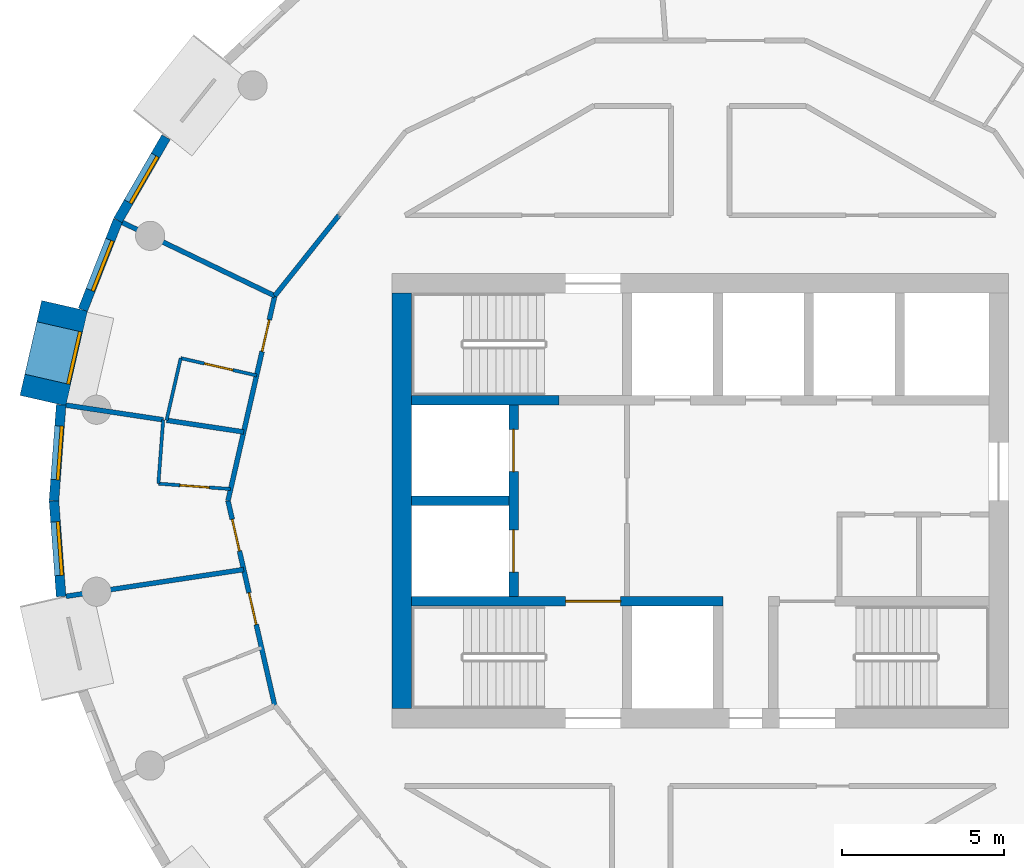
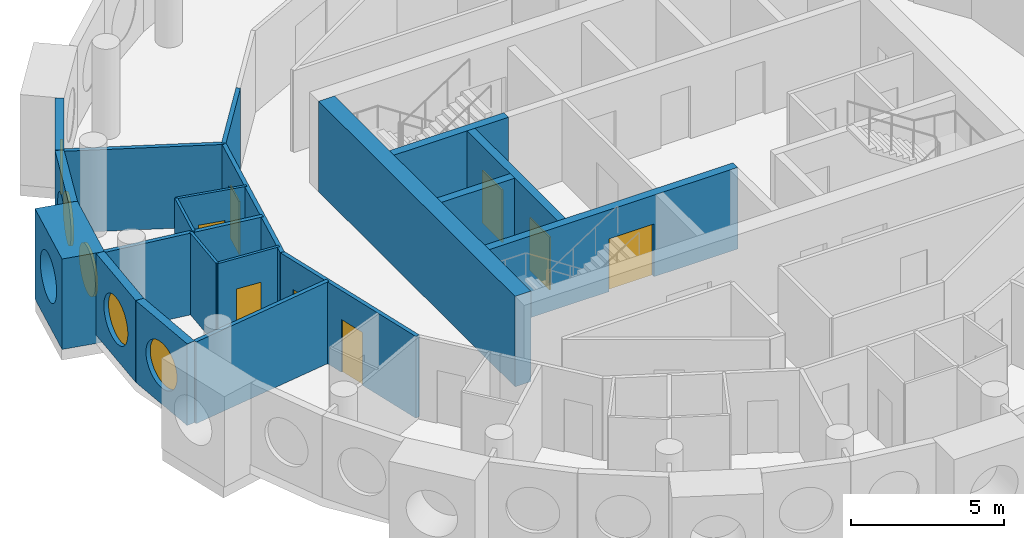
# One storey, part 6 of 12: 21 walls, 8 doors, 5 windows, 13 openings.
"""IFC4 building model written with IfcOpenShell, lengths in metres."""

from ifc_helpers import new_model, si_unit, direction, frame, frame_2d, origin, origin_2d, place, context, subcontext, project, spatial, rectangle, circle, extrude, material, layer, layer_set, type_object, element, fill, save


model = new_model("IFC4")

# Units and contexts
model_context = context("Model", 3, precision=1e-05, world=origin(), true_north=direction((0.0, 1.0)))
body_context = subcontext(model_context, "Body", "Model", "MODEL_VIEW")
ifc_project = project(units=[si_unit("LENGTHUNIT", "METRE"), si_unit("AREAUNIT", "SQUARE_METRE"), si_unit("VOLUMEUNIT", "CUBIC_METRE"), si_unit("PLANEANGLEUNIT", "RADIAN"), si_unit("MASSUNIT", "GRAM", prefix="KILO")], contexts=[model_context])

# Site, building, storey
site_placement = place(None, origin())
site = spatial("IfcSite", under=ifc_project, at=site_placement, CompositionType="ELEMENT")
building_placement = place(site_placement, origin())
building = spatial("IfcBuilding", under=site, at=building_placement, Name="Tracery Tower", CompositionType="ELEMENT")
storey_placement = place(building_placement, frame((0.0, 0.0, 283.800048828125)))
storey = spatial("IfcBuildingStorey", under=building, at=storey_placement, Name="L73", CompositionType="ELEMENT", Elevation=283.800048828125)

# Wall
ifc_material_1 = material(Name="Concrete C40/50", Category="concrete")
ifc_layer_1 = layer(ifc_material_1, 0.60009765625)
ifc_layer_set_1 = layer_set([ifc_layer_1], Name="Core wall 600 C40")
wall_type_1 = type_object("IfcWallType", Name="Core wall 600 C40", PredefinedType="SOLIDWALL", material=ifc_layer_set_1)
wall_1_placement = place(storey_placement, frame((-9.199951171875, -6.39990234375, 0.0), z_axis=(0.0, 0.0, 1.0), x_axis=(0.0, 1.0, 0.0)))
element("IfcWall", 1, at=wall_1_placement, inside=storey, type_object=wall_type_1, Name="L73 outer W", PredefinedType="SOLIDWALL", context=body_context, shape_type="SweptSolid", body=[
    extrude(rectangle(XDim=12.7998046875, YDim=0.60009765625, at=frame_2d((6.39990234375, 0.0))), origin(), (0.0, 0.0, 1.0), 3.599853515625),
])

# Wall, opening, window
ifc_material_2 = material(Name="Precast concrete C50/60", Category="concrete")
ifc_layer_2 = layer(ifc_material_2, 1.449951171875)
ifc_layer_set_2 = layer_set([ifc_layer_2], Name="Deep-set bay unit 3000 x 3600, slab edge 350")
wall_type_2 = type_object("IfcWallType", Name="Deep-set bay unit 3000 x 3600, slab edge 350", PredefinedType="ELEMENTEDWALL", material=ifc_layer_set_2)
wall_2_placement = place(storey_placement, frame((-19.5947265625, 6.010986328125, -0.35009765625), z_axis=(0.0, 0.0, 1.0), x_axis=(-0.222570682856, -0.974916555985, 0.0)))
wall_2 = element("IfcWall", 2, at=wall_2_placement, inside=storey, type_object=wall_type_2, Name="Deep-set bay unit 20 at L73", PredefinedType="ELEMENTEDWALL", context=body_context, shape_type="SweptSolid", body=[
    extrude(rectangle(XDim=3.0, YDim=1.449951171875, at=frame_2d((1.5, 0.0))), origin(), (0.0, 0.0, 1.0), 3.60009765625),
])
opening_1_placement = place(wall_2_placement, frame((1.5, 0.0, 1.89990234375)))
opening_1 = element("IfcOpeningElement", 3, at=opening_1_placement, cuts=wall_2, Name="Opening WN1", PredefinedType="OPENING", context=body_context, shape_type="SweptSolid", body=[
    extrude(circle(Radius=0.9000244140625, at=origin_2d()), frame((0.0, 0.73486328125, 0.0), z_axis=(0.0, -1.0, 0.0), x_axis=(1.0, 0.0, 0.0)), (0.0, 0.0, 1.0), 1.469970703125),
])
ifc_material_3 = material(Name="Aluminium frame with tinted double glazing", Category="aluminium")
window_type = type_object("IfcWindowType", Name="Round window 1800", PartitioningType="SINGLE_PANEL", PredefinedType="WINDOW", material=ifc_material_3)
window_1_placement = place(opening_1_placement, origin())
window_1 = element("IfcWindow", 4, at=window_1_placement, inside=storey, type_object=window_type, Name="Round window 20 at L73", OverallHeight=1.800048828125, OverallWidth=1.800048828125, PartitioningType="SINGLE_PANEL", PredefinedType="WINDOW", context=body_context, shape_type="SweptSolid", body=[
    extrude(circle(Radius=0.9000244140625, at=origin_2d()), frame((0.0, 0.69482421875, 0.0), z_axis=(0.0, -1.0, 0.0), x_axis=(1.0, 0.0, 0.0)), (0.0, 0.0, 1.0), 0.10009765625),
])
fill(opening_1, window_1)

ifc_material_4 = material(Name="Precast concrete C50/60", Category="concrete")
ifc_layer_3 = layer(ifc_material_4, 0.300048828125)
ifc_layer_set_3 = layer_set([ifc_layer_3], Name="Facade panel 3000 x 3250")
wall_type_3 = type_object("IfcWallType", Name="Facade panel 3000 x 3250", PredefinedType="SOLIDWALL", material=ifc_layer_set_3)
wall_3_placement = place(storey_placement, frame((-16.4677734375, 11.209228515625, 0.0), z_axis=(0.0, 0.0, 1.0), x_axis=(-0.500012570604, -0.866018146021, 0.0)))
wall_3 = element("IfcWall", 5, at=wall_3_placement, inside=storey, type_object=wall_type_3, Name="Facade panel 18 at L73", PredefinedType="SOLIDWALL", context=body_context, shape_type="SweptSolid", body=[
    extrude(rectangle(XDim=2.96240234375, YDim=0.300048828125, at=frame_2d((1.481201171875, 0.0))), origin(), (0.0, 0.0, 1.0), 3.25),
])
opening_2_placement = place(wall_3_placement, frame((1.48095703125, 0.0, 1.5498046875)))
opening_2 = element("IfcOpeningElement", 6, at=opening_2_placement, cuts=wall_3, Name="Opening WN1", PredefinedType="OPENING", context=body_context, shape_type="SweptSolid", body=[
    extrude(circle(Radius=0.9000244140625, at=origin_2d()), frame((0.0, 0.159912109375, 0.0), z_axis=(0.0, -1.0, 0.0), x_axis=(1.0, 0.0, 0.0)), (0.0, 0.0, 1.0), 0.320068359375),
])
window_2_placement = place(opening_2_placement, origin())
window_2 = element("IfcWindow", 7, at=window_2_placement, inside=storey, type_object=window_type, Name="Round window 18 at L73", OverallHeight=1.800048828125, OverallWidth=1.800048828125, PartitioningType="SINGLE_PANEL", PredefinedType="WINDOW", context=body_context, shape_type="SweptSolid", body=[
    extrude(circle(Radius=0.9000244140625, at=origin_2d()), frame((0.0, 0.1201171875, 0.0), z_axis=(0.0, -1.0, 0.0), x_axis=(1.0, 0.0, 0.0)), (0.0, 0.0, 1.0), 0.10009765625),
])
fill(opening_2, window_2)

wall_4_placement = place(storey_placement, frame((-17.948974609375, 8.643798828125, 0.0), z_axis=(0.0, 0.0, 1.0), x_axis=(-0.365343821297, -0.930872650925, 0.0)))
wall_4 = element("IfcWall", 8, at=wall_4_placement, inside=storey, type_object=wall_type_3, Name="Facade panel 19 at L73", PredefinedType="SOLIDWALL", context=body_context, shape_type="SweptSolid", body=[
    extrude(rectangle(XDim=2.96240234375, YDim=0.300048828125, at=frame_2d((1.481201171875, 0.0))), origin(), (0.0, 0.0, 1.0), 3.25),
])
opening_3_placement = place(wall_4_placement, frame((1.48095703125, 0.0, 1.5498046875)))
opening_3 = element("IfcOpeningElement", 9, at=opening_3_placement, cuts=wall_4, Name="Opening WN1", PredefinedType="OPENING", context=body_context, shape_type="SweptSolid", body=[
    extrude(circle(Radius=0.9000244140625, at=origin_2d()), frame((0.0, 0.159912109375, 0.0), z_axis=(0.0, -1.0, 0.0), x_axis=(1.0, 0.0, 0.0)), (0.0, 0.0, 1.0), 0.320068359375),
])
window_3_placement = place(opening_3_placement, origin())
window_3 = element("IfcWindow", 10, at=window_3_placement, inside=storey, type_object=window_type, Name="Round window 19 at L73", OverallHeight=1.800048828125, OverallWidth=1.800048828125, PartitioningType="SINGLE_PANEL", PredefinedType="WINDOW", context=body_context, shape_type="SweptSolid", body=[
    extrude(circle(Radius=0.9000244140625, at=origin_2d()), frame((0.0, 0.1201171875, 0.0), z_axis=(0.0, -1.0, 0.0), x_axis=(1.0, 0.0, 0.0)), (0.0, 0.0, 1.0), 0.10009765625),
])
fill(opening_3, window_3)

wall_5_placement = place(storey_placement, frame((-19.700439453125, 2.953857421875, 0.0), z_axis=(0.0, 0.0, 1.0), x_axis=(-0.074755115547, -0.997201921729, 0.0)))
wall_5 = element("IfcWall", 11, at=wall_5_placement, inside=storey, type_object=wall_type_3, Name="Facade panel 21 at L73", PredefinedType="SOLIDWALL", context=body_context, shape_type="SweptSolid", body=[
    extrude(rectangle(XDim=2.962158203125, YDim=0.300048828125, at=frame_2d((1.48095703125, 0.0))), origin(), (0.0, 0.0, 1.0), 3.25),
])
opening_4_placement = place(wall_5_placement, frame((1.48095703125, 0.0, 1.5498046875)))
opening_4 = element("IfcOpeningElement", 12, at=opening_4_placement, cuts=wall_5, Name="Opening WN1", PredefinedType="OPENING", context=body_context, shape_type="SweptSolid", body=[
    extrude(circle(Radius=0.9000244140625, at=origin_2d()), frame((0.0, 0.159912109375, 0.0), z_axis=(0.0, -1.0, 0.0), x_axis=(1.0, 0.0, 0.0)), (0.0, 0.0, 1.0), 0.320068359375),
])
window_4_placement = place(opening_4_placement, origin())
window_4 = element("IfcWindow", 13, at=window_4_placement, inside=storey, type_object=window_type, Name="Round window 21 at L73", OverallHeight=1.800048828125, OverallWidth=1.800048828125, PartitioningType="SINGLE_PANEL", PredefinedType="WINDOW", context=body_context, shape_type="SweptSolid", body=[
    extrude(circle(Radius=0.9000244140625, at=origin_2d()), frame((0.0, 0.1201171875, 0.0), z_axis=(0.0, -1.0, 0.0), x_axis=(1.0, 0.0, 0.0)), (0.0, 0.0, 1.0), 0.10009765625),
])
fill(opening_4, window_4)

wall_6_placement = place(storey_placement, frame((-19.921875, 0.0, 0.0), z_axis=(0.0, 0.0, 1.0), x_axis=(0.074755115547, -0.997201921729, 0.0)))
wall_6 = element("IfcWall", 14, at=wall_6_placement, inside=storey, type_object=wall_type_3, Name="Facade panel 22 at L73", PredefinedType="SOLIDWALL", context=body_context, shape_type="SweptSolid", body=[
    extrude(rectangle(XDim=2.962158203125, YDim=0.300048828125, at=frame_2d((1.48095703125, 0.0))), origin(), (0.0, 0.0, 1.0), 3.25),
])
opening_5_placement = place(wall_6_placement, frame((1.48095703125, 0.0, 1.5498046875)))
opening_5 = element("IfcOpeningElement", 15, at=opening_5_placement, cuts=wall_6, Name="Opening WN1", PredefinedType="OPENING", context=body_context, shape_type="SweptSolid", body=[
    extrude(circle(Radius=0.9000244140625, at=origin_2d()), frame((0.0, 0.159912109375, 0.0), z_axis=(0.0, -1.0, 0.0), x_axis=(1.0, 0.0, 0.0)), (0.0, 0.0, 1.0), 0.320068359375),
])
window_5_placement = place(opening_5_placement, origin())
window_5 = element("IfcWindow", 16, at=window_5_placement, inside=storey, type_object=window_type, Name="Round window 22 at L73", OverallHeight=1.800048828125, OverallWidth=1.800048828125, PartitioningType="SINGLE_PANEL", PredefinedType="WINDOW", context=body_context, shape_type="SweptSolid", body=[
    extrude(circle(Radius=0.9000244140625, at=origin_2d()), frame((0.0, 0.1201171875, 0.0), z_axis=(0.0, -1.0, 0.0), x_axis=(1.0, 0.0, 0.0)), (0.0, 0.0, 1.0), 0.10009765625),
])
fill(opening_5, window_5)

# Wall, opening, door
ifc_material_5 = material(Name="Plasterboard on steel studs", Category="steel")
ifc_layer_4 = layer(ifc_material_5, 0.10009765625)
ifc_layer_set_4 = layer_set([ifc_layer_4], Name="Partition 100 wet wall")
wall_type_4 = type_object("IfcWallType", Name="Partition 100 wet wall", PredefinedType="PARTITIONING", material=ifc_layer_set_4)
wall_7_placement = place(storey_placement, frame((-16.014892578125, 4.39599609375, 0.0), z_axis=(0.0, 0.0, 1.0), x_axis=(0.97493862442, -0.222473995368, 0.0)))
wall_7 = element("IfcWall", 17, at=wall_7_placement, inside=storey, type_object=wall_type_4, Name="Wet wall RC6-060", PredefinedType="PARTITIONING", context=body_context, shape_type="SweptSolid", body=[
    extrude(rectangle(XDim=2.39990234375, YDim=0.10009765625, at=frame_2d((1.199951171875, 0.0))), origin(), (0.0, 0.0, 1.0), 3.25),
])
opening_6_placement = place(wall_7_placement, frame((0.750244140625, 0.0, 0.0)))
opening_6 = element("IfcOpeningElement", 18, at=opening_6_placement, cuts=wall_7, Name="Opening RC6-14", PredefinedType="OPENING", context=body_context, shape_type="SweptSolid", body=[
    extrude(rectangle(XDim=0.89990234375, YDim=2.0400390625, at=frame_2d((0.449951171875, 1.02001953125))), frame((0.0, 0.050048828125, 0.0), z_axis=(0.0, -1.0, 0.0), x_axis=(1.0, 0.0, 0.0)), (0.0, 0.0, 1.0), 0.10009765625),
])
ifc_material_6 = material(Name="Timber door leaf", Category="wood")
door_type_1 = type_object("IfcDoorType", Name="Door en-suite 900", OperationType="NOTDEFINED", PredefinedType="DOOR", material=ifc_material_6)
door_1_placement = place(opening_6_placement, origin())
door_1 = element("IfcDoor", 19, at=door_1_placement, inside=storey, type_object=door_type_1, Name="En-suite door RC6-14", OperationType="SINGLE_SWING_LEFT", OverallHeight=2.0400390625, OverallWidth=0.89990234375, PredefinedType="DOOR", context=body_context, shape_type="SweptSolid", body=[
    extrude(rectangle(XDim=0.89990234375, YDim=2.0400390625, at=frame_2d((0.449951171875, 1.02001953125))), frame((0.0, 0.02490234375, 0.0), z_axis=(0.0, -1.0, 0.0), x_axis=(1.0, 0.0, 0.0)), (0.0, 0.0, 1.0), 0.050048828125),
])
fill(opening_6, door_1)

# Walls
wall_8_placement = place(storey_placement, frame((-16.451904296875, 2.47998046875, 0.0), z_axis=(0.0, 0.0, 1.0), x_axis=(0.22237276708, 0.974961718459, 0.0)))
element("IfcWall", 20, at=wall_8_placement, inside=storey, type_object=wall_type_4, Name="Wet wall RC6-061", PredefinedType="PARTITIONING", context=body_context, shape_type="SweptSolid", body=[
    extrude(rectangle(XDim=1.96533203125, YDim=0.10009765625, at=frame_2d((0.982666015625, 0.0))), origin(), (0.0, 0.0, 1.0), 3.25),
])
wall_9_placement = place(storey_placement, frame((-16.702880859375, 0.527099609375, 0.0), z_axis=(0.0, 0.0, 1.0), x_axis=(0.07496524071, 0.99718614746, 0.0)))
element("IfcWall", 21, at=wall_9_placement, inside=storey, type_object=wall_type_4, Name="Wet wall RC6-064", PredefinedType="PARTITIONING", context=body_context, shape_type="SweptSolid", body=[
    extrude(rectangle(XDim=1.9736328125, YDim=0.10009765625, at=frame_2d((0.98681640625, 0.0))), origin(), (0.0, 0.0, 1.0), 3.25),
])

# Wall, opening, door
wall_10_placement = place(storey_placement, frame((-16.702880859375, 0.527099609375, 0.0), z_axis=(0.0, 0.0, 1.0), x_axis=(0.997202365433, -0.074749196488, 0.0)))
wall_10 = element("IfcWall", 22, at=wall_10_placement, inside=storey, type_object=wall_type_4, Name="Wet wall RC6-065", PredefinedType="PARTITIONING", context=body_context, shape_type="SweptSolid", body=[
    extrude(rectangle(XDim=2.234130859375, YDim=0.10009765625, at=frame_2d((1.1171875, 0.0))), origin(), (0.0, 0.0, 1.0), 3.25),
])
opening_7_placement = place(wall_10_placement, frame((0.6669921875, 0.0, 0.0)))
opening_7 = element("IfcOpeningElement", 23, at=opening_7_placement, cuts=wall_10, Name="Opening RC6-16", PredefinedType="OPENING", context=body_context, shape_type="SweptSolid", body=[
    extrude(rectangle(XDim=0.89990234375, YDim=2.0400390625, at=frame_2d((0.449951171875, 1.02001953125))), frame((0.0, 0.050048828125, 0.0), z_axis=(0.0, -1.0, 0.0), x_axis=(1.0, 0.0, 0.0)), (0.0, 0.0, 1.0), 0.10009765625),
])
door_2_placement = place(opening_7_placement, origin())
door_2 = element("IfcDoor", 24, at=door_2_placement, inside=storey, type_object=door_type_1, Name="En-suite door RC6-16", OperationType="SINGLE_SWING_LEFT", OverallHeight=2.0400390625, OverallWidth=0.89990234375, PredefinedType="DOOR", context=body_context, shape_type="SweptSolid", body=[
    extrude(rectangle(XDim=0.89990234375, YDim=2.0400390625, at=frame_2d((0.449951171875, 1.02001953125))), frame((0.0, 0.02490234375, 0.0), z_axis=(0.0, -1.0, 0.0), x_axis=(1.0, 0.0, 0.0)), (0.0, 0.0, 1.0), 0.050048828125),
])
fill(opening_7, door_2)

# Walls
ifc_material_7 = material(Name="Plasterboard on steel studs", Category="steel")
ifc_layer_5 = layer(ifc_material_7, 0.14990234375)
ifc_layer_set_5 = layer_set([ifc_layer_5], Name="Partition 150 acoustic unit wall")
wall_type_5 = type_object("IfcWallType", Name="Partition 150 acoustic unit wall", PredefinedType="PARTITIONING", material=ifc_layer_set_5)
wall_11_placement = place(storey_placement, frame((-17.81298828125, 8.577880859375, 0.0), z_axis=(0.0, 0.0, 1.0), x_axis=(0.901004381064, -0.433809987557, 0.0)))
element("IfcWall", 25, at=wall_11_placement, inside=storey, type_object=wall_type_5, Name="Unit wall RC6-059", PredefinedType="PARTITIONING", context=body_context, shape_type="SweptSolid", body=[
    extrude(rectangle(XDim=5.214111328125, YDim=0.14990234375, at=frame_2d((2.60693359375, 0.0))), origin(), (0.0, 0.0, 1.0), 3.25),
])
wall_12_placement = place(storey_placement, frame((-19.551025390625, 2.947021484375, 0.0), z_axis=(0.0, 0.0, 1.0), x_axis=(0.988844081525, -0.14895429646, 0.0)))
element("IfcWall", 26, at=wall_12_placement, inside=storey, type_object=wall_type_5, Name="Unit wall RC6-062", PredefinedType="PARTITIONING", context=body_context, shape_type="SweptSolid", body=[
    extrude(rectangle(XDim=3.033935546875, YDim=0.14990234375, at=frame_2d((1.51708984375, 0.0))), origin(), (0.0, 0.0, 1.0), 3.25),
])
wall_13_placement = place(storey_placement, frame((-16.451904296875, 2.47998046875, 0.0), z_axis=(0.0, 0.0, 1.0), x_axis=(0.988810951618, -0.149174065977, 0.0)))
element("IfcWall", 27, at=wall_13_placement, inside=storey, type_object=wall_type_5, Name="Unit wall RC6-063", PredefinedType="PARTITIONING", context=body_context, shape_type="SweptSolid", body=[
    extrude(rectangle(XDim=2.40576171875, YDim=0.14990234375, at=frame_2d((1.202880859375, 0.0))), origin(), (0.0, 0.0, 1.0), 3.25),
])
wall_14_placement = place(storey_placement, frame((-19.551025390625, -2.947021484375, 0.0), z_axis=(0.0, 0.0, 1.0), x_axis=(0.988824228734, 0.149086031099, 0.0)))
element("IfcWall", 28, at=wall_14_placement, inside=storey, type_object=wall_type_5, Name="Unit wall RC6-066", PredefinedType="PARTITIONING", context=body_context, shape_type="SweptSolid", body=[
    extrude(rectangle(XDim=5.5400390625, YDim=0.14990234375, at=frame_2d((2.77001953125, 0.0))), origin(), (0.0, 0.0, 1.0), 3.25),
])
ifc_material_8 = material(Name="Plasterboard on steel studs", Category="steel")
ifc_layer_6 = layer(ifc_material_8, 0.14990234375)
ifc_layer_set_6 = layer_set([ifc_layer_6], Name="Partition 150 corridor wall")
wall_type_6 = type_object("IfcWallType", Name="Partition 150 corridor wall", PredefinedType="PARTITIONING", material=ifc_layer_set_6)
wall_15_placement = place(storey_placement, frame((-13.114990234375, 6.31591796875, 0.0), z_axis=(0.0, 0.0, 1.0), x_axis=(0.623476099415, 0.781842409606, 0.0)))
element("IfcWall", 29, at=wall_15_placement, inside=storey, type_object=wall_type_6, Name="Corridor wall RC6-033", PredefinedType="PARTITIONING", context=body_context, shape_type="SweptSolid", body=[
    extrude(rectangle(XDim=3.17724609375, YDim=0.14990234375, at=frame_2d((1.588623046875, 0.0))), origin(), (0.0, 0.0, 1.0), 3.25),
])

# Wall, opening, door
wall_16_placement = place(storey_placement, frame((-14.556640625, 0.0, 0.0), z_axis=(0.0, 0.0, 1.0), x_axis=(0.222533159771, 0.974925121639, 0.0)))
wall_16 = element("IfcWall", 30, at=wall_16_placement, inside=storey, type_object=wall_type_6, Name="Corridor wall RC6-034", PredefinedType="PARTITIONING", context=body_context, shape_type="SweptSolid", body=[
    extrude(rectangle(XDim=6.478271484375, YDim=0.14990234375, at=frame_2d((3.2392578125, 0.0))), origin(), (0.0, 0.0, 1.0), 3.25),
])
opening_8_placement = place(wall_16_placement, frame((4.71826171875, 0.0, 0.0)))
opening_8 = element("IfcOpeningElement", 31, at=opening_8_placement, cuts=wall_16, Name="Opening RC6-15", PredefinedType="OPENING", context=body_context, shape_type="SweptSolid", body=[
    extrude(rectangle(XDim=1.0, YDim=2.10009765625, at=frame_2d((0.5, 1.050048828125))), frame((0.0, 0.074951171875, 0.0), z_axis=(0.0, -1.0, 0.0), x_axis=(1.0, 0.0, 0.0)), (0.0, 0.0, 1.0), 0.14990234375),
])
ifc_material_9 = material(Name="Timber door leaf", Category="wood")
door_type_2 = type_object("IfcDoorType", Name="Door unit entrance 1000", OperationType="NOTDEFINED", PredefinedType="DOOR", material=ifc_material_9)
door_3_placement = place(opening_8_placement, origin())
door_3 = element("IfcDoor", 32, at=door_3_placement, inside=storey, type_object=door_type_2, Name="Unit entrance door RC6-15", OperationType="SINGLE_SWING_RIGHT", OverallHeight=2.10009765625, OverallWidth=1.0, PredefinedType="DOOR", context=body_context, shape_type="SweptSolid", body=[
    extrude(rectangle(XDim=1.0, YDim=2.10009765625, at=frame_2d((0.5, 1.050048828125))), frame((0.0, 0.02490234375, 0.0), z_axis=(0.0, -1.0, 0.0), x_axis=(1.0, 0.0, 0.0)), (0.0, 0.0, 1.0), 0.050048828125),
])
fill(opening_8, door_3)

# Wall, openings, doors
wall_17_placement = place(storey_placement, frame((-14.556884765625, 0.0, 0.0), z_axis=(0.0, 0.0, 1.0), x_axis=(0.222489165471, -0.974935162587, 0.0)))
wall_17 = element("IfcWall", 33, at=wall_17_placement, inside=storey, type_object=wall_type_6, Name="Corridor wall RC6-035", PredefinedType="PARTITIONING", context=body_context, shape_type="SweptSolid", body=[
    extrude(rectangle(XDim=6.478515625, YDim=0.14990234375, at=frame_2d((3.2392578125, 0.0))), origin(), (0.0, 0.0, 1.0), 3.25),
])
opening_9_placement = place(wall_17_placement, frame((0.589599609375, 0.0, 0.0)))
opening_9 = element("IfcOpeningElement", 34, at=opening_9_placement, cuts=wall_17, Name="Opening RC6-17", PredefinedType="OPENING", context=body_context, shape_type="SweptSolid", body=[
    extrude(rectangle(XDim=1.0, YDim=2.10009765625, at=frame_2d((0.5, 1.050048828125))), frame((0.0, 0.074951171875, 0.0), z_axis=(0.0, -1.0, 0.0), x_axis=(1.0, 0.0, 0.0)), (0.0, 0.0, 1.0), 0.14990234375),
])
opening_10_placement = place(wall_17_placement, frame((2.91162109375, 0.0, 0.0)))
opening_10 = element("IfcOpeningElement", 35, at=opening_10_placement, cuts=wall_17, Name="Opening RC6-19", PredefinedType="OPENING", context=body_context, shape_type="SweptSolid", body=[
    extrude(rectangle(XDim=1.0, YDim=2.10009765625, at=frame_2d((0.5, 1.050048828125))), frame((0.0, 0.074951171875, 0.0), z_axis=(0.0, -1.0, 0.0), x_axis=(1.0, 0.0, 0.0)), (0.0, 0.0, 1.0), 0.14990234375),
])
door_4_placement = place(opening_9_placement, origin())
door_4 = element("IfcDoor", 36, at=door_4_placement, inside=storey, type_object=door_type_2, Name="Unit entrance door RC6-17", OperationType="SINGLE_SWING_RIGHT", OverallHeight=2.10009765625, OverallWidth=1.0, PredefinedType="DOOR", context=body_context, shape_type="SweptSolid", body=[
    extrude(rectangle(XDim=1.0, YDim=2.10009765625, at=frame_2d((0.5, 1.050048828125))), frame((0.0, 0.02490234375, 0.0), z_axis=(0.0, -1.0, 0.0), x_axis=(1.0, 0.0, 0.0)), (0.0, 0.0, 1.0), 0.050048828125),
])
fill(opening_9, door_4)
door_5_placement = place(opening_10_placement, origin())
door_5 = element("IfcDoor", 37, at=door_5_placement, inside=storey, type_object=door_type_2, Name="Unit entrance door RC6-19", OperationType="SINGLE_SWING_LEFT", OverallHeight=2.10009765625, OverallWidth=1.0, PredefinedType="DOOR", context=body_context, shape_type="SweptSolid", body=[
    extrude(rectangle(XDim=1.0, YDim=2.10009765625, at=frame_2d((0.5, 1.050048828125))), frame((0.0, 0.02490234375, 0.0), z_axis=(0.0, -1.0, 0.0), x_axis=(1.0, 0.0, 0.0)), (0.0, 0.0, 1.0), 0.050048828125),
])
fill(opening_10, door_5)

# Wall
ifc_material_10 = material(Name="Concrete C40/50", Category="concrete")
ifc_layer_7 = layer(ifc_material_10, 0.300048828125)
ifc_layer_set_7 = layer_set([ifc_layer_7], Name="Shaft wall 300 C40")
wall_type_7 = type_object("IfcWallType", Name="Shaft wall 300 C40", PredefinedType="SOLIDWALL", material=ifc_layer_set_7)
wall_18_placement = place(storey_placement, frame((-8.89990234375, 0.0, 0.0), z_axis=(0.0, 0.0, 1.0), x_axis=(1.0, 0.0, 0.0)))
element("IfcWall", 38, at=wall_18_placement, inside=storey, type_object=wall_type_7, Name="L73 FF split", PredefinedType="SOLIDWALL", context=body_context, shape_type="SweptSolid", body=[
    extrude(rectangle(XDim=3.0, YDim=0.300048828125, at=frame_2d((1.5, 0.0))), origin(), (0.0, 0.0, 1.0), 3.25),
])

# Wall, openings, doors
wall_19_placement = place(storey_placement, frame((-5.75, -2.949951171875, 0.0), z_axis=(0.0, 0.0, 1.0), x_axis=(0.0, 1.0, 0.0)))
wall_19 = element("IfcWall", 39, at=wall_19_placement, inside=storey, type_object=wall_type_7, Name="L73 FF doors", PredefinedType="SOLIDWALL", context=body_context, shape_type="SweptSolid", body=[
    extrude(rectangle(XDim=5.89990234375, YDim=0.300048828125, at=frame_2d((2.949951171875, 0.0))), origin(), (0.0, 0.0, 1.0), 3.25),
])
opening_11_placement = place(wall_19_placement, frame((0.75, 0.0, 0.0)))
opening_11 = element("IfcOpeningElement", 40, at=opening_11_placement, cuts=wall_19, Name="Opening KD54", PredefinedType="OPENING", context=body_context, shape_type="SweptSolid", body=[
    extrude(rectangle(XDim=1.300048828125, YDim=2.10009765625, at=frame_2d((0.64990234375, 1.050048828125))), frame((0.0, 0.14990234375, 0.0), z_axis=(0.0, -1.0, 0.0), x_axis=(1.0, 0.0, 0.0)), (0.0, 0.0, 1.0), 0.300048828125),
])
opening_12_placement = place(wall_19_placement, frame((3.85009765625, 0.0, 0.0)))
opening_12 = element("IfcOpeningElement", 41, at=opening_12_placement, cuts=wall_19, Name="Opening KD55", PredefinedType="OPENING", context=body_context, shape_type="SweptSolid", body=[
    extrude(rectangle(XDim=1.300048828125, YDim=2.10009765625, at=frame_2d((0.64990234375, 1.050048828125))), frame((0.0, 0.14990234375, 0.0), z_axis=(0.0, -1.0, 0.0), x_axis=(1.0, 0.0, 0.0)), (0.0, 0.0, 1.0), 0.300048828125),
])
ifc_material_11 = material(Name="Steel fire door", Category="steel")
door_type_3 = type_object("IfcDoorType", Name="Landing door FF 1300", OperationType="NOTDEFINED", PredefinedType="DOOR", material=ifc_material_11)
door_6_placement = place(opening_11_placement, origin())
door_6 = element("IfcDoor", 42, at=door_6_placement, inside=storey, type_object=door_type_3, Name="Landing door FF1", OperationType="SLIDING_TO_LEFT", OverallHeight=2.10009765625, OverallWidth=1.300048828125, PredefinedType="DOOR", context=body_context, shape_type="SweptSolid", body=[
    extrude(rectangle(XDim=1.300048828125, YDim=2.10009765625, at=frame_2d((0.64990234375, 1.050048828125))), frame((0.0, 0.02490234375, 0.0), z_axis=(0.0, -1.0, 0.0), x_axis=(1.0, 0.0, 0.0)), (0.0, 0.0, 1.0), 0.050048828125),
])
fill(opening_11, door_6)
door_7_placement = place(opening_12_placement, origin())
door_7 = element("IfcDoor", 43, at=door_7_placement, inside=storey, type_object=door_type_3, Name="Landing door FF2", OperationType="SLIDING_TO_RIGHT", OverallHeight=2.10009765625, OverallWidth=1.300048828125, PredefinedType="DOOR", context=body_context, shape_type="SweptSolid", body=[
    extrude(rectangle(XDim=1.300048828125, YDim=2.10009765625, at=frame_2d((0.64990234375, 1.050048828125))), frame((0.0, 0.02490234375, 0.0), z_axis=(0.0, -1.0, 0.0), x_axis=(1.0, 0.0, 0.0)), (0.0, 0.0, 1.0), 0.050048828125),
])
fill(opening_12, door_7)

# Wall, opening, door
ifc_material_12 = material(Name="Concrete C40/50", Category="concrete")
ifc_layer_8 = layer(ifc_material_12, 0.300048828125)
ifc_layer_set_8 = layer_set([ifc_layer_8], Name="Stair wall 300 C40")
wall_type_8 = type_object("IfcWallType", Name="Stair wall 300 C40", PredefinedType="SOLIDWALL", material=ifc_layer_set_8)
wall_20_placement = place(storey_placement, frame((-8.89990234375, -3.10009765625, 0.0), z_axis=(0.0, 0.0, 1.0), x_axis=(1.0, 0.0, 0.0)))
wall_20 = element("IfcWall", 44, at=wall_20_placement, inside=storey, type_object=wall_type_8, Name="L73 row S", PredefinedType="SOLIDWALL", context=body_context, shape_type="SweptSolid", body=[
    extrude(rectangle(XDim=9.599853515625, YDim=0.300048828125, at=frame_2d((4.7998046875, 0.0))), origin(), (0.0, 0.0, 1.0), 3.25),
])
opening_13_placement = place(wall_20_placement, frame((4.75, 0.0, 0.0)))
opening_13 = element("IfcOpeningElement", 45, at=opening_13_placement, cuts=wall_20, Name="Opening KD3", PredefinedType="OPENING", context=body_context, shape_type="SweptSolid", body=[
    extrude(rectangle(XDim=1.699951171875, YDim=2.10009765625, at=frame_2d((0.85009765625, 1.050048828125))), frame((0.0, 0.14990234375, 0.0), z_axis=(0.0, -1.0, 0.0), x_axis=(1.0, 0.0, 0.0)), (0.0, 0.0, 1.0), 0.300048828125),
])
ifc_material_13 = material(Name="Steel fire door", Category="steel")
door_type_4 = type_object("IfcDoorType", Name="Core stair door 1700 double", OperationType="NOTDEFINED", PredefinedType="DOOR", material=ifc_material_13)
door_8_placement = place(opening_13_placement, origin())
door_8 = element("IfcDoor", 46, at=door_8_placement, inside=storey, type_object=door_type_4, Name="Stair door ST1", OperationType="DOUBLE_DOOR_SINGLE_SWING", OverallHeight=2.10009765625, OverallWidth=1.699951171875, PredefinedType="DOOR", context=body_context, shape_type="SweptSolid", body=[
    extrude(rectangle(XDim=1.699951171875, YDim=2.10009765625, at=frame_2d((0.85009765625, 1.050048828125))), frame((0.0, 0.02490234375, 0.0), z_axis=(0.0, -1.0, 0.0), x_axis=(1.0, 0.0, 0.0)), (0.0, 0.0, 1.0), 0.050048828125),
])
fill(opening_13, door_8)

# Wall
wall_21_placement = place(storey_placement, frame((-8.89990234375, 3.10009765625, 0.0), z_axis=(0.0, 0.0, 1.0), x_axis=(1.0, 0.0, 0.0)))
element("IfcWall", 47, at=wall_21_placement, inside=storey, type_object=wall_type_8, Name="L73 row N W", PredefinedType="SOLIDWALL", context=body_context, shape_type="SweptSolid", body=[
    extrude(rectangle(XDim=4.5498046875, YDim=0.300048828125, at=frame_2d((2.27490234375, 0.0))), origin(), (0.0, 0.0, 1.0), 3.25),
])

save(model, "model.ifc")
